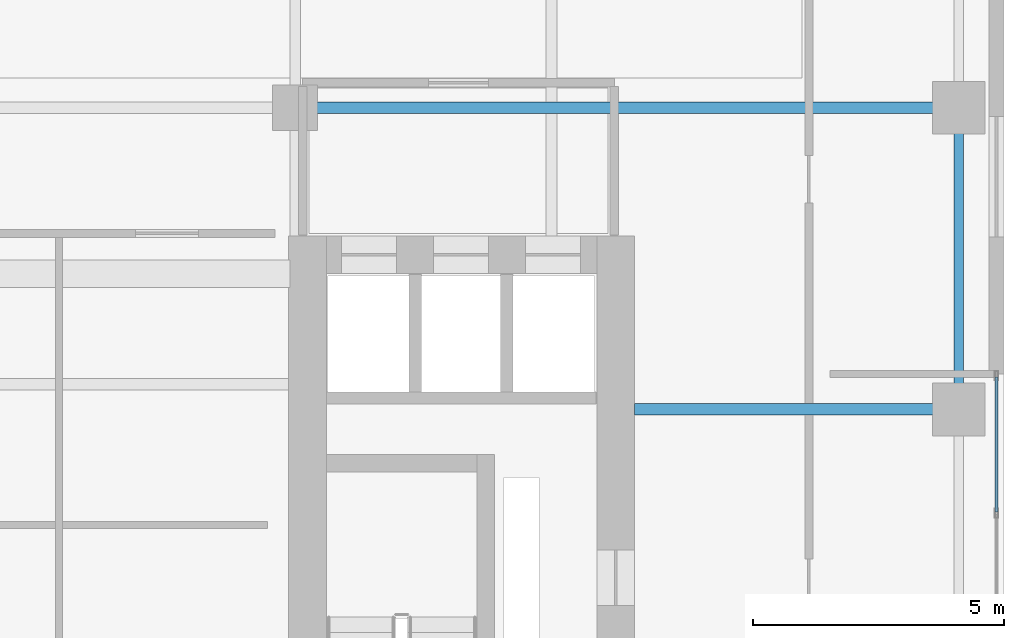
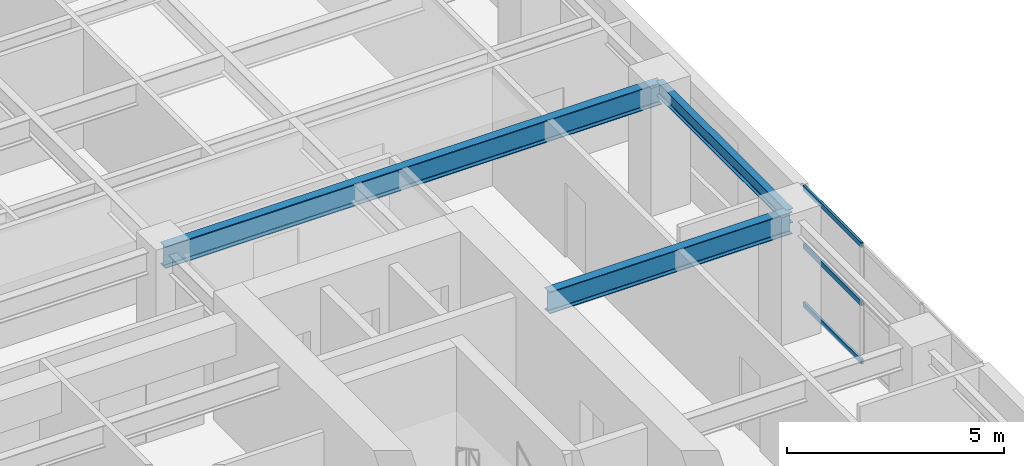
# One storey, part 5 of 16: 3 beams, 3 members, 1 element without a shape of its own.
"""IFC4 building model written with IfcOpenShell, lengths in metres."""

import ifcopenshell
import ifcopenshell.guid

model = None  # the IFC model being written
_history = None  # IfcOwnerHistory: only IFC2X3 demands one
_inside = {}  # id of a spatial element -> (the spatial element, [elements in it])
_under = {}  # id of a project, library or spatial element -> (it, [spatial elements below it])
_declared = {}  # id of a project -> (the project, [libraries it declares])
_typed = {}  # id of a type object -> (the type object, [elements of that type])
_made_of = {}  # id of a material, layer set ... -> (it, [elements and type objects made of it])


def new_model(schema):
    """Start an empty IFC model of exactly this schema.

    Asked for "IFC4X3", IfcOpenShell would pick the latest addendum, in which some entities
    have other attributes; the version numbers below select the first issue.
    IFC2X3 requires an IfcOwnerHistory on every rooted entity: one is made here for all.
    """
    global model, _history
    if schema == "IFC4X3":
        model = ifcopenshell.file(schema_version=(4, 3, 0, 0))
    else:
        model = ifcopenshell.file(schema=schema)
    _inside.clear()
    _under.clear()
    _declared.clear()
    _typed.clear()
    _made_of.clear()
    _history = None
    if model.schema == "IFC2X3":
        org = make("IfcOrganization", Name="unknown")
        user = make(
            "IfcPersonAndOrganization",
            ThePerson=make("IfcPerson", FamilyName="unknown"),
            TheOrganization=org,
        )
        app = make(
            "IfcApplication",
            ApplicationDeveloper=org,
            Version="unknown",
            ApplicationFullName="unknown",
            ApplicationIdentifier="unknown",
        )
        _history = make(
            "IfcOwnerHistory",
            OwningUser=user,
            OwningApplication=app,
            ChangeAction="ADDED",
            CreationDate=0,
        )
    return model


def make(cls, **values):
    """One entity of the class cls with the attributes given. An attribute that is None is left unset."""
    return model.create_entity(
        cls, **{name: value for name, value in values.items() if value is not None}
    )


def rooted(cls, **values):
    """An entity with a GlobalId (a new one), such as an element, a storey or a relation."""
    return make(cls, GlobalId=ifcopenshell.guid.new(), OwnerHistory=_history, **values)


def si_unit(unit_type, name, prefix=None):
    """IfcSIUnit, for example si_unit("LENGTHUNIT", "METRE", prefix="MILLI")."""
    return make("IfcSIUnit", UnitType=unit_type, Prefix=prefix, Name=name)


def assignment(units):
    """IfcUnitAssignment: the units of a project."""
    return None if units is None else make("IfcUnitAssignment", Units=units)


def point(xyz):
    """IfcCartesianPoint."""
    return None if xyz is None else make("IfcCartesianPoint", Coordinates=xyz)


def direction(xyz):
    """IfcDirection."""
    return None if xyz is None else make("IfcDirection", DirectionRatios=xyz)


def frame(location, z_axis=None, x_axis=None):
    """IfcAxis2Placement3D, a coordinate frame: its origin and axes. An axis left out is left unset."""
    return make(
        "IfcAxis2Placement3D",
        Location=point(location),
        Axis=direction(z_axis),
        RefDirection=direction(x_axis),
    )


def frame_2d(location, x_axis=None):
    """IfcAxis2Placement2D, a coordinate frame in the plane: its origin and x axis."""
    return make(
        "IfcAxis2Placement2D", Location=point(location), RefDirection=direction(x_axis)
    )


def origin():
    """The frame at (0, 0, 0) with its axes left unset."""
    return frame((0.0, 0.0, 0.0))


def origin_2d():
    """The frame at (0, 0) in the plane with its x axis left unset."""
    return frame_2d((0.0, 0.0))


def place(relative_to, where):
    """IfcLocalPlacement: puts the frame where relative to a parent placement (None: the world)."""
    return make(
        "IfcLocalPlacement", PlacementRelTo=relative_to, RelativePlacement=where
    )


def context(
    kind, dimensions, precision=None, world=None, true_north=None, identifier=None
):
    """IfcGeometricRepresentationContext, for example the 3D "Model" context."""
    return make(
        "IfcGeometricRepresentationContext",
        ContextIdentifier=identifier,
        ContextType=kind,
        CoordinateSpaceDimension=dimensions,
        Precision=precision,
        WorldCoordinateSystem=world,
        TrueNorth=true_north,
    )


def subcontext(parent, identifier, kind, view, scale=None):
    """IfcGeometricRepresentationSubContext, for example "Body" below "Model"."""
    return make(
        "IfcGeometricRepresentationSubContext",
        ContextIdentifier=identifier,
        ContextType=kind,
        ParentContext=parent,
        TargetScale=scale,
        TargetView=view,
    )


def project(units=None, contexts=None):
    """IfcProject with its units and contexts."""
    return rooted(
        "IfcProject",
        Name="project",
        RepresentationContexts=contexts,
        UnitsInContext=assignment(units),
    )


def spatial(cls, under=None, at=None, **own):
    """A site, building, storey or space (cls), placed at a placement, below another one or the project."""
    s = rooted(cls, ObjectPlacement=at, **own)
    if under is not None:
        _under.setdefault(under.id(), (under, []))[1].append(s)
    return s


def profile(cls, at=None, kind="AREA", **sizes):
    """A parametric profile (cls). Its sizes go by their IFC names, for example OverallWidth=200.0."""
    return make(cls, ProfileType=kind, Position=at, **sizes)


def hollow_rectangle(**sizes):
    """IfcRectangleHollowProfileDef."""
    return profile("IfcRectangleHollowProfileDef", **sizes)


def i_section(**sizes):
    """IfcIShapeProfileDef."""
    return profile("IfcIShapeProfileDef", **sizes)


def extrude(swept, where, along, depth):
    """IfcExtrudedAreaSolid: the profile swept, set in the frame where, extruded along a direction by depth."""
    return make(
        "IfcExtrudedAreaSolid",
        SweptArea=swept,
        Position=where,
        ExtrudedDirection=direction(along),
        Depth=depth,
    )


def shape(context_of_items, identifier, shape_type, items):
    """IfcShapeRepresentation: the items that make up one representation, for example the "Body"."""
    return make(
        "IfcShapeRepresentation",
        ContextOfItems=context_of_items,
        RepresentationIdentifier=identifier,
        RepresentationType=shape_type,
        Items=items,
    )


def source(mapping_origin, context_of_items, identifier, shape_type, items):
    """IfcRepresentationMap: a shape defined once, which mapped items show again and again."""
    return make(
        "IfcRepresentationMap",
        MappingOrigin=mapping_origin,
        MappedRepresentation=shape(context_of_items, identifier, shape_type, items),
    )


def transform(
    local_origin,
    x_axis=None,
    y_axis=None,
    z_axis=None,
    scale=None,
    scale2=None,
    scale3=None,
    uniform=True,
):
    """IfcCartesianTransformationOperator3D, or its non-uniform kind. x_axis, y_axis, z_axis: its Axis1, 2, 3."""
    if uniform:
        return make(
            "IfcCartesianTransformationOperator3D",
            Axis1=direction(x_axis),
            Axis2=direction(y_axis),
            LocalOrigin=point(local_origin),
            Scale=scale,
            Axis3=direction(z_axis),
        )
    return make(
        "IfcCartesianTransformationOperator3DnonUniform",
        Axis1=direction(x_axis),
        Axis2=direction(y_axis),
        LocalOrigin=point(local_origin),
        Scale=scale,
        Axis3=direction(z_axis),
        Scale2=scale2,
        Scale3=scale3,
    )


def mapped(mapping_source, mapping_target):
    """IfcMappedItem: shows the shape of a source again, moved by a transform."""
    return make(
        "IfcMappedItem", MappingSource=mapping_source, MappingTarget=mapping_target
    )


def material(Name=None, Category=None):
    """IfcMaterial."""
    return make("IfcMaterial", Name=Name, Category=Category)


def layer(
    of_material, thickness, ventilated=None, Name=None, Category=None, Priority=None
):
    """IfcMaterialLayer: one layer of a wall or slab, of a material (None: an air gap)."""
    return make(
        "IfcMaterialLayer",
        Material=of_material,
        LayerThickness=thickness,
        IsVentilated=ventilated,
        Name=Name,
        Category=Category,
        Priority=Priority,
    )


def layer_set(layers, Name=None):
    """IfcMaterialLayerSet."""
    return make("IfcMaterialLayerSet", MaterialLayers=layers, LayerSetName=Name)


def material_profile(
    of_material, cross_section, Name=None, Category=None, Priority=None
):
    """IfcMaterialProfile: a cross section and its material."""
    return make(
        "IfcMaterialProfile",
        Name=Name,
        Material=of_material,
        Profile=cross_section,
        Priority=Priority,
        Category=Category,
    )


def profile_set(profiles, Name=None, composite=None):
    """IfcMaterialProfileSet."""
    return make(
        "IfcMaterialProfileSet",
        Name=Name,
        MaterialProfiles=profiles,
        CompositeProfile=composite,
    )


def made_of(thing, what):
    """Note that an element or type object is made of a material, layer set ...; save() writes the relation."""
    if what is not None:
        _made_of.setdefault(what.id(), (what, []))[1].append(thing)
    return thing


def type_object(cls, material=None, **own):
    """A type object (cls), such as IfcWallType, which elements share."""
    return made_of(rooted(cls, **own), material)


def element(
    cls,
    number,
    at=None,
    inside=None,
    cuts=None,
    type_object=None,
    material=None,
    context=None,
    identifier="Body",
    shape_type=None,
    held_by="IfcProductDefinitionShape",
    body=None,
    shapes=None,
    **own,
):
    """One element of the class cls, such as IfcWall. Its Tag is "e" and its number.

    at: its placement. inside: the storey or other place that contains it. cuts: it is an
    opening in that element (IfcRelVoidsElement). A single representation is given by context,
    identifier, shape_type and body (its items); several are given by shapes. held_by: the class
    of the entity that holds the representations. save() writes the other relations.
    """
    e = rooted(cls, Tag="e%d" % number, ObjectPlacement=at, **own)
    if body is not None:
        shapes = [shape(context, identifier, shape_type, body)]
    if shapes is not None:
        e.Representation = make(held_by, Representations=shapes)
    if inside is not None:
        _inside.setdefault(inside.id(), (inside, []))[1].append(e)
    if cuts is not None:
        rooted(
            "IfcRelVoidsElement", RelatingBuildingElement=cuts, RelatedOpeningElement=e
        )
    if type_object is not None:
        _typed.setdefault(type_object.id(), (type_object, []))[1].append(e)
    return made_of(e, material)


def aggregate(whole, parts):
    """IfcRelAggregates: a whole, such as a stair, and the parts it consists of."""
    return rooted("IfcRelAggregates", RelatingObject=whole, RelatedObjects=parts)


def save(model, path):
    """Write the relations noted so far, then the file.

    IfcRelAggregates (storeys below a building ...), IfcRelContainedInSpatialStructure (elements
    in a storey), IfcRelDefinesByType, IfcRelAssociatesMaterial and IfcRelDeclares: one each for
    every whole, place, type object, material and project.
    """
    for whole, parts in _under.values():
        aggregate(whole, parts)
    for where, things in _inside.values():
        rooted(
            "IfcRelContainedInSpatialStructure",
            RelatedElements=things,
            RelatingStructure=where,
        )
    for kind, things in _typed.values():
        rooted("IfcRelDefinesByType", RelatedObjects=things, RelatingType=kind)
    for what, things in _made_of.values():
        rooted("IfcRelAssociatesMaterial", RelatedObjects=things, RelatingMaterial=what)
    for by, libraries in _declared.values():
        rooted("IfcRelDeclares", RelatingContext=by, RelatedDefinitions=libraries)
    model.write(path)


model = new_model("IFC4")

# Units and contexts
model_context = context("Model", 3, precision=1e-05, world=origin(), true_north=direction((0.0, 1.0)))
body_context = subcontext(model_context, "Body", "Model", "MODEL_VIEW")
ifc_project = project(units=[si_unit("LENGTHUNIT", "METRE"), si_unit("AREAUNIT", "SQUARE_METRE"), si_unit("VOLUMEUNIT", "CUBIC_METRE"), si_unit("PLANEANGLEUNIT", "RADIAN"), si_unit("MASSUNIT", "GRAM", prefix="KILO")], contexts=[model_context])

# Site, building, storey
site_placement = place(None, origin())
site = spatial("IfcSite", under=ifc_project, at=site_placement, CompositionType="ELEMENT")
building_placement = place(site_placement, origin())
building = spatial("IfcBuilding", under=site, at=building_placement, Name="Khoralis Quay Care Tower", CompositionType="ELEMENT")
storey_placement = place(building_placement, frame((0.0, 0.0, 137.699951171875)))
storey = spatial("IfcBuildingStorey", under=building, at=storey_placement, Name="L36", CompositionType="ELEMENT", Elevation=137.699951171875)

# Beams
ifc_material_1 = material(Name="Steel S355", Category="steel")
ifc_material_profile_1 = material_profile(ifc_material_1, i_section(OverallWidth=0.179931640625, OverallDepth=0.39990234375, WebThickness=0.008544921875, FlangeThickness=0.013427734375, FilletRadius=0.02099609375, at=origin_2d()), Name="Steel S355")
ifc_profile_set_1 = profile_set([ifc_material_profile_1], Name="Steel S355")
beam_type_1 = type_object("IfcBeamType", Name="BM-IPE400", PredefinedType="SPANDREL", material=ifc_profile_set_1)
shared_shape_1 = source(origin(), body_context, "Body", "SweptSolid", [
    extrude(i_section(OverallWidth=0.179931640625, OverallDepth=0.39990234375, WebThickness=0.008544921875, FlangeThickness=0.013427734375, FilletRadius=0.02099609375, at=origin_2d()), origin(), (0.0, 0.0, 1.0), 6.0),
])
beam_1_placement = place(storey_placement, frame((44.10009765625, 24.0, 3.14013671875), z_axis=(0.0, 1.0, 0.0), x_axis=(-1.0, 0.0, 0.0)))
element("IfcBeam", 1, at=beam_1_placement, inside=storey, type_object=beam_type_1, Name="BM-TSP-L36-19", PredefinedType="SPANDREL", context=body_context, shape_type="MappedRepresentation", body=[
    mapped(shared_shape_1, transform((0.0, 0.0, 0.0), scale=1.0)),
])
ifc_material_profile_2 = material_profile(ifc_material_1, i_section(OverallWidth=0.22998046875, OverallDepth=0.616943359375, WebThickness=0.01318359375, FlangeThickness=0.022216796875, FilletRadius=0.01806640625, at=origin_2d()), Name="Steel S355")
ifc_profile_set_2 = profile_set([ifc_material_profile_2], Name="Steel S355")
beam_type_2 = type_object("IfcBeamType", Name="BM-W610X140", PredefinedType="BEAM", material=ifc_profile_set_2)
shared_shape_2 = source(origin(), body_context, "Body", "SweptSolid", [
    extrude(i_section(OverallWidth=0.22998046875, OverallDepth=0.616943359375, WebThickness=0.01318359375, FlangeThickness=0.022216796875, FilletRadius=0.01806640625, at=origin_2d()), origin(), (0.0, 0.0, 1.0), 13.2001953125),
])
beam_2_placement = place(storey_placement, frame((30.89990234375, 30.0, 3.031494140625), z_axis=(1.0, 0.0, 0.0), x_axis=(0.0, 1.0, 0.0)))
element("IfcBeam", 2, at=beam_2_placement, inside=storey, type_object=beam_type_2, Name="BM-TGXE-L36-300", PredefinedType="BEAM", context=body_context, shape_type="MappedRepresentation", body=[
    mapped(shared_shape_2, transform((0.0, 0.0, 0.0), scale=1.0)),
])
shared_shape_3 = source(origin(), body_context, "Body", "SweptSolid", [
    extrude(i_section(OverallWidth=0.22998046875, OverallDepth=0.616943359375, WebThickness=0.01318359375, FlangeThickness=0.022216796875, FilletRadius=0.01806640625, at=origin_2d()), origin(), (0.0, 0.0, 1.0), 6.4521484375),
])
beam_3_placement = place(storey_placement, frame((37.64794921875, 24.0, 3.031494140625), z_axis=(1.0, 0.0, 0.0), x_axis=(0.0, 1.0, 0.0)))
element("IfcBeam", 3, at=beam_3_placement, inside=storey, type_object=beam_type_2, Name="BM-TGXE-L36-240", PredefinedType="BEAM", context=body_context, shape_type="MappedRepresentation", body=[
    mapped(shared_shape_3, transform((0.0, 0.0, 0.0), scale=1.0)),
])

# Curtain wall, members
ifc_material_2 = material(Name="Pale anodised aluminium", Category="aluminium")
ifc_layer = layer(ifc_material_2, 0.169921875)
ifc_layer_set = layer_set([ifc_layer], Name="Pale anodised aluminium")
curtain_wall_type = type_object("IfcCurtainWallType", Name="CW-SYS-Z2", PredefinedType="NOTDEFINED", material=ifc_layer_set)
curtain_wall_placement = place(storey_placement, origin())
curtain_wall = element("IfcCurtainWall", 4, at=curtain_wall_placement, inside=storey, type_object=curtain_wall_type, Name="L36 Unitised Curtain Wall CW-L36-P1-E5", PredefinedType="NOTDEFINED")
ifc_material_profile_3 = material_profile(ifc_material_2, hollow_rectangle(XDim=0.06005859375, YDim=0.139892578125, WallThickness=0.00390625, at=origin_2d()), Name="Pale anodised aluminium")
ifc_profile_set_3 = profile_set([ifc_material_profile_3], Name="Pale anodised aluminium")
member_type = type_object("IfcMemberType", Name="CW-TRN-140", PredefinedType="USERDEFINED", material=ifc_profile_set_3)
shared_shape_4 = source(origin(), body_context, "Body", "SweptSolid", [
    extrude(hollow_rectangle(XDim=0.06005859375, YDim=0.139892578125, WallThickness=0.00390625, at=origin_2d()), origin(), (0.0, 0.0, 1.0), 2.676513671875),
])
member_1_placement = place(storey_placement, frame((44.85009765625, 21.96337890625, 0.030029296875), z_axis=(0.0, 1.0, 0.0), x_axis=(-1.0, 0.0, 0.0)))
member_1 = element("IfcMember", 5, at=member_1_placement, type_object=member_type, Name="CW2 transom 3.1", ObjectType="TRANSOM", PredefinedType="USERDEFINED", context=body_context, shape_type="MappedRepresentation", body=[
    mapped(shared_shape_4, transform((0.0, 0.0, 0.0), scale=1.0)),
])
member_2_placement = place(storey_placement, frame((44.85009765625, 21.96337890625, 1.670166015625), z_axis=(0.0, 1.0, 0.0), x_axis=(-1.0, 0.0, 0.0)))
member_2 = element("IfcMember", 6, at=member_2_placement, type_object=member_type, Name="CW2 transom 3.2", ObjectType="TRANSOM", PredefinedType="USERDEFINED", context=body_context, shape_type="MappedRepresentation", body=[
    mapped(shared_shape_4, transform((0.0, 0.0, 0.0), scale=1.0)),
])
member_3_placement = place(storey_placement, frame((44.85009765625, 21.96337890625, 3.31005859375), z_axis=(0.0, 1.0, 0.0), x_axis=(-1.0, 0.0, 0.0)))
member_3 = element("IfcMember", 7, at=member_3_placement, type_object=member_type, Name="CW2 transom 3.3", ObjectType="TRANSOM", PredefinedType="USERDEFINED", context=body_context, shape_type="MappedRepresentation", body=[
    mapped(shared_shape_4, transform((0.0, 0.0, 0.0), scale=1.0)),
])
aggregate(curtain_wall, [member_1, member_2, member_3])

save(model, "model.ifc")
